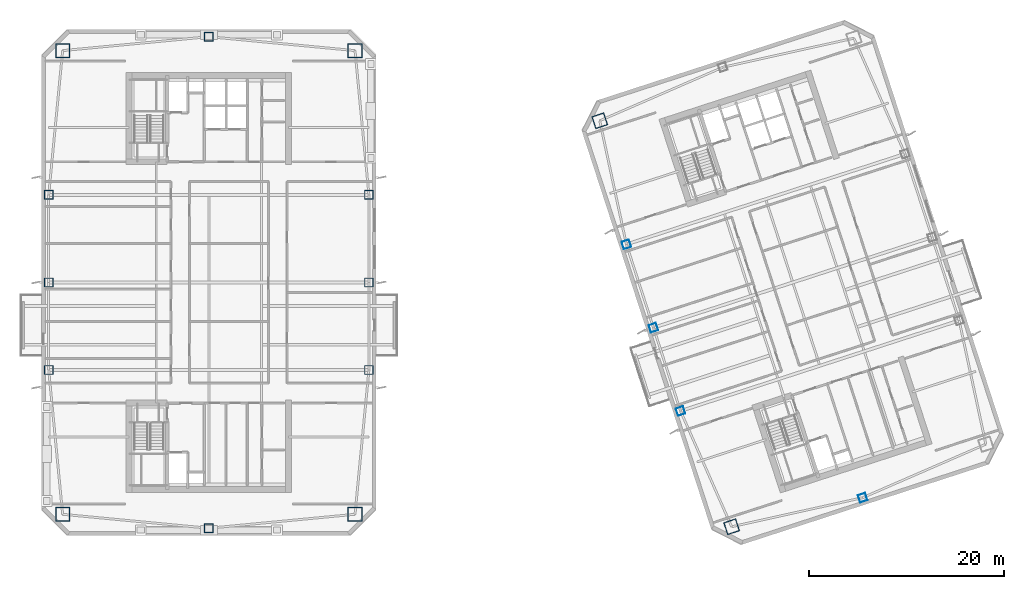
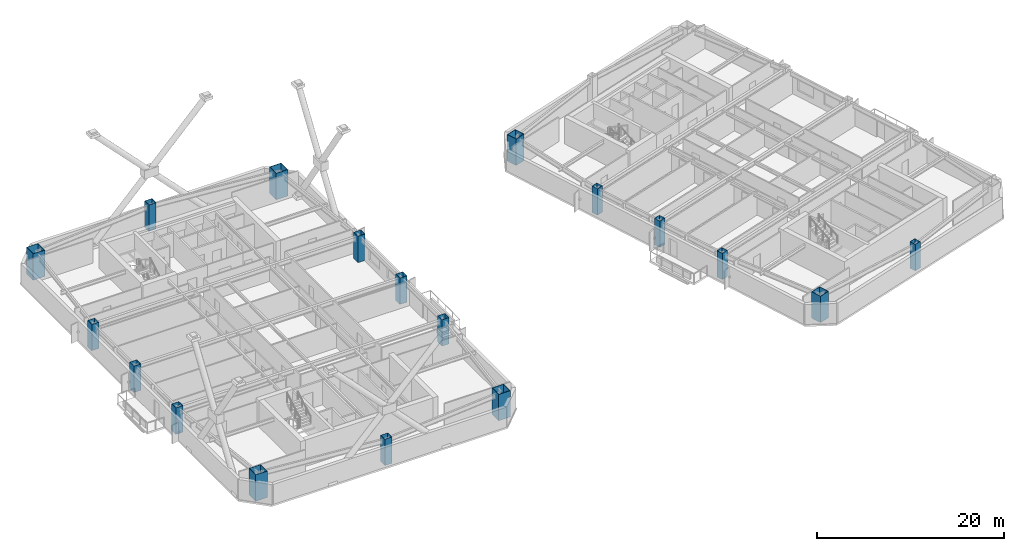
# One storey, part 1 of 18: 18 columns.
"""IFC4 building model written with IfcOpenShell, lengths in metres."""

from ifc_helpers import new_model, si_unit, direction, frame, origin, origin_2d, place, context, subcontext, project, spatial, hollow_rectangle, extrude, material, material_profile, profile_set, type_object, element, save


model = new_model("IFC4")

# Units and contexts
model_context = context("Model", 3, precision=1e-05, world=origin(), true_north=direction((0.0, 1.0)))
body_context = subcontext(model_context, "Body", "Model", "MODEL_VIEW")
ifc_project = project(units=[si_unit("LENGTHUNIT", "METRE"), si_unit("AREAUNIT", "SQUARE_METRE"), si_unit("VOLUMEUNIT", "CUBIC_METRE"), si_unit("PLANEANGLEUNIT", "RADIAN"), si_unit("MASSUNIT", "GRAM", prefix="KILO")], contexts=[model_context])

# Site, building, storey
site_placement = place(None, origin())
site = spatial("IfcSite", under=ifc_project, at=site_placement, CompositionType="ELEMENT")
building_placement = place(site_placement, origin())
building = spatial("IfcBuilding", under=site, at=building_placement, Name="Qiaolan Cultural Towers", CompositionType="ELEMENT")
storey_placement = place(building_placement, frame((0.0, 0.0, 173.64990234375)))
storey = spatial("IfcBuildingStorey", under=building, at=storey_placement, Name="L46", CompositionType="ELEMENT", Elevation=173.64990234375)

# Columns
ifc_material_1 = material(Name="Steel Q390GJB", Category="steel")
ifc_material_profile_1 = material_profile(ifc_material_1, hollow_rectangle(XDim=1.300048828125, YDim=1.300048828125, WallThickness=0.044921875, at=origin_2d()), Name="BOX1300x1300x45")
ifc_profile_set_1 = profile_set([ifc_material_profile_1], Name="Steel Q390GJB")
column_type_1 = type_object("IfcColumnType", Name="COL-BOX1300x1300x45", PredefinedType="COLUMN", material=ifc_profile_set_1)
for number, where, z_axis, x_axis, name in (
    (1, (83.71875, 8.900634765625, 0.0), (0.0, 0.0, 1.0), (0.951056516295, 0.309016994375, 0.0), "L46 T2 Perimeter Column MC-SW"),
    (2, (70.165283203125, 50.61376953125, 0.0), (0.0, 0.0, 1.0), (0.951056516295, 0.309016994375, 0.0), "L46 T2 Perimeter Column MC-NW"),
):
    element("IfcColumn", number, at=place(storey_placement, frame(where, z_axis=z_axis, x_axis=x_axis)), inside=storey, type_object=column_type_1, Name=name, PredefinedType="COLUMN", context=body_context, shape_type="SweptSolid", body=[
        extrude(hollow_rectangle(XDim=1.300048828125, YDim=1.300048828125, WallThickness=0.044921875, at=origin_2d()), origin(), (0.0, 0.0, 1.0), 3.451171875),
    ])
ifc_material_2 = material(Name="Steel Q420GJB", Category="steel")
ifc_material_profile_2 = material_profile(ifc_material_2, hollow_rectangle(XDim=1.449951171875, YDim=1.449951171875, WallThickness=0.050048828125, at=origin_2d()), Name="BOX1450x1450x50")
ifc_profile_set_2 = profile_set([ifc_material_profile_2], Name="Steel Q420GJB")
column_type_2 = type_object("IfcColumnType", Name="COL-BOX1450x1450x50", PredefinedType="COLUMN", material=ifc_profile_set_2)
for number, where, z_axis, x_axis, name in (
    (3, (14.97998046875, 10.179931640625, 0.0), (0.0, 0.0, 1.0), (1.0, 0.0, 0.0), "L46 T1 Perimeter Column MC-SW"),
    (4, (45.02001953125, 10.179931640625, 0.0), (0.0, 0.0, 1.0), (1.0, 0.0, 0.0), "L46 T1 Perimeter Column MC-SE"),
    (5, (45.02001953125, 57.820068359375, 0.0), (0.0, 0.0, 1.0), (1.0, 0.0, 0.0), "L46 T1 Perimeter Column MC-NE"),
    (6, (14.97998046875, 57.820068359375, 0.0), (0.0, 0.0, 1.0), (1.0, 0.0, 0.0), "L46 T1 Perimeter Column MC-NW"),
):
    element("IfcColumn", number, at=place(storey_placement, frame(where, z_axis=z_axis, x_axis=x_axis)), inside=storey, type_object=column_type_2, Name=name, PredefinedType="COLUMN", context=body_context, shape_type="SweptSolid", body=[
        extrude(hollow_rectangle(XDim=1.449951171875, YDim=1.449951171875, WallThickness=0.050048828125, at=origin_2d()), origin(), (0.0, 0.0, 1.0), 3.451171875),
    ])
ifc_material_3 = material(Name="Steel Q355B", Category="steel")
ifc_material_profile_3 = material_profile(ifc_material_3, hollow_rectangle(XDim=0.800048828125, YDim=0.800048828125, WallThickness=0.028076171875, at=origin_2d()), Name="BOX800x800x28")
ifc_profile_set_3 = profile_set([ifc_material_profile_3], Name="Steel Q355B")
column_type_3 = type_object("IfcColumnType", Name="COL-BOX800x800x28", PredefinedType="COLUMN", material=ifc_profile_set_3)
for number, where, z_axis, x_axis, name in (
    (7, (78.4677734375, 20.789794921875, 0.0), (0.0, 0.0, 1.0), (0.951056516295, 0.309016994375, 0.0), "L46 T2 Perimeter Column PC-W1"),
    (8, (75.6865234375, 29.349365234375, 0.0), (0.0, 0.0, 1.0), (0.951056516295, 0.309016994375, 0.0), "L46 T2 Perimeter Column PC-W2"),
    (9, (72.905517578125, 37.90869140625, 0.0), (0.0, 0.0, 1.0), (0.951056516295, 0.309016994375, 0.0), "L46 T2 Perimeter Column PC-W3"),
    (10, (97.1845703125, 11.887939453125, 0.0), (0.0, 0.0, 1.0), (0.951056516295, 0.309016994375, 0.0), "L46 T2 Perimeter Column PC-S0"),
):
    element("IfcColumn", number, at=place(storey_placement, frame(where, z_axis=z_axis, x_axis=x_axis)), inside=storey, type_object=column_type_3, Name=name, PredefinedType="COLUMN", context=body_context, shape_type="SweptSolid", body=[
        extrude(hollow_rectangle(XDim=0.800048828125, YDim=0.800048828125, WallThickness=0.028076171875, at=origin_2d()), origin(), (0.0, 0.0, 1.0), 3.451171875),
    ])
ifc_material_4 = material(Name="Steel Q355B", Category="steel")
ifc_material_profile_4 = material_profile(ifc_material_4, hollow_rectangle(XDim=0.89990234375, YDim=0.89990234375, WallThickness=0.031982421875, at=origin_2d()), Name="BOX900x900x32")
ifc_profile_set_4 = profile_set([ifc_material_profile_4], Name="Steel Q355B")
column_type_4 = type_object("IfcColumnType", Name="COL-BOX900x900x32", PredefinedType="COLUMN", material=ifc_profile_set_4)
for number, where, z_axis, x_axis, name in (
    (11, (13.550048828125, 25.0, 0.0), (0.0, 0.0, 1.0), (1.0, 0.0, 0.0), "L46 T1 Perimeter Column PC-W1"),
    (12, (13.550048828125, 34.0, 0.0), (0.0, 0.0, 1.0), (1.0, 0.0, 0.0), "L46 T1 Perimeter Column PC-W2"),
    (13, (13.550048828125, 43.0, 0.0), (0.0, 0.0, 1.0), (1.0, 0.0, 0.0), "L46 T1 Perimeter Column PC-W3"),
    (14, (46.449951171875, 25.0, 0.0), (0.0, 0.0, 1.0), (1.0, 0.0, 0.0), "L46 T1 Perimeter Column PC-E1"),
    (15, (46.449951171875, 34.0, 0.0), (0.0, 0.0, 1.0), (1.0, 0.0, 0.0), "L46 T1 Perimeter Column PC-E2"),
    (16, (46.449951171875, 43.0, 0.0), (0.0, 0.0, 1.0), (1.0, 0.0, 0.0), "L46 T1 Perimeter Column PC-E3"),
    (17, (30.0, 8.75, 0.0), (0.0, 0.0, 1.0), (1.0, 0.0, 0.0), "L46 T1 Perimeter Column PC-S0"),
    (18, (30.0, 59.25, 0.0), (0.0, 0.0, 1.0), (1.0, 0.0, 0.0), "L46 T1 Perimeter Column PC-N0"),
):
    element("IfcColumn", number, at=place(storey_placement, frame(where, z_axis=z_axis, x_axis=x_axis)), inside=storey, type_object=column_type_4, Name=name, PredefinedType="COLUMN", context=body_context, shape_type="SweptSolid", body=[
        extrude(hollow_rectangle(XDim=0.89990234375, YDim=0.89990234375, WallThickness=0.031982421875, at=origin_2d()), origin(), (0.0, 0.0, 1.0), 3.451171875),
    ])

save(model, "model.ifc")
